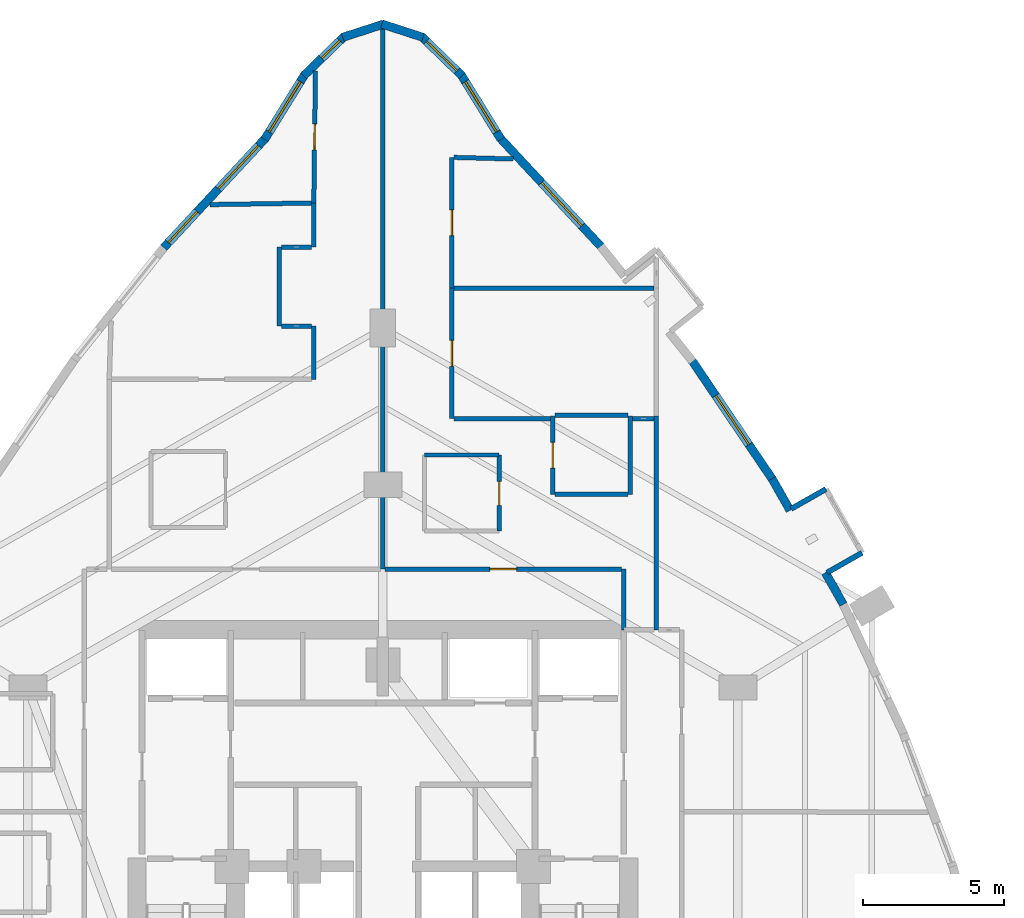
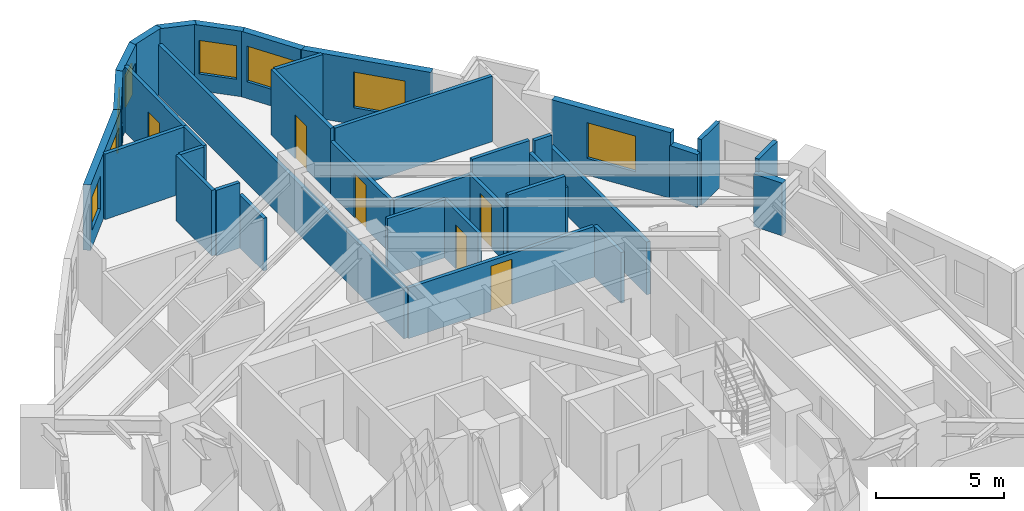
# One storey, part 12 of 14: 36 walls, 8 windows, 6 doors, 14 openings.
"""IFC4 building model written with IfcOpenShell, lengths in metres."""

from ifc_helpers import new_model, si_unit, direction, frame, frame_2d, origin, place, context, subcontext, project, spatial, rectangle, extrude, material, layer, layer_set, type_object, element, fill, save


model = new_model("IFC4")

# Units and contexts
model_context = context("Model", 3, precision=1e-05, world=origin(), true_north=direction((0.0, 1.0)))
body_context = subcontext(model_context, "Body", "Model", "MODEL_VIEW")
ifc_project = project(units=[si_unit("LENGTHUNIT", "METRE"), si_unit("AREAUNIT", "SQUARE_METRE"), si_unit("VOLUMEUNIT", "CUBIC_METRE"), si_unit("PLANEANGLEUNIT", "RADIAN"), si_unit("MASSUNIT", "GRAM", prefix="KILO")], contexts=[model_context])

# Site, building, storey
site_placement = place(None, origin())
site = spatial("IfcSite", under=ifc_project, at=site_placement, CompositionType="ELEMENT")
building_placement = place(site_placement, origin())
building = spatial("IfcBuilding", under=site, at=building_placement, Name="Miruveldt Soraemaru", CompositionType="ELEMENT")
storey_placement = place(building_placement, frame((0.0, 0.0, 80.199951171875)))
storey = spatial("IfcBuildingStorey", under=building, at=storey_placement, Name="L22", CompositionType="ELEMENT", Elevation=80.199951171875)

# Walls
ifc_material_1 = material(Name="White powder-coated aluminium EN AW-6060 T6", Category="aluminium")
ifc_layer_1 = layer(ifc_material_1, 0.18994140625, Name="White powder-coated aluminium EN AW-6060 T6", Category="aluminium")
ifc_layer_set_1 = layer_set([ifc_layer_1], Name="White powder-coated aluminium EN AW-6060 T6")
wall_type_1 = type_object("IfcWallType", Name="WALL-BAY-ALU190", PredefinedType="SOLIDWALL", material=ifc_layer_set_1)
for number, where, z_axis, x_axis, name in (
    (1, (59.7685546875, 54.4794921875, 0.0), (0.0, 0.0, 1.0), (0.869799191674, 0.493405883794, 0.0), "L22 Bay Window Side Cheek 5L"),
    (2, (59.72509765625, 57.444091796875, 0.0), (0.0, 0.0, 1.0), (-0.869799191674, -0.493405883794, 0.0), "L22 Bay Window Side Cheek 5R"),
):
    element("IfcWall", number, at=place(storey_placement, frame(where, z_axis=z_axis, x_axis=x_axis)), inside=storey, type_object=wall_type_1, Name=name, PredefinedType="SOLIDWALL", context=body_context, shape_type="SweptSolid", body=[
        extrude(rectangle(XDim=1.425048828125, YDim=0.18994140625, at=frame_2d((0.71240234375, 0.0))), origin(), (0.0, 0.0, 1.0), 3.125),
    ])

# Wall, opening, window
ifc_material_2 = material(Name="Precast concrete C45/55 (45 MPa)", Category="concrete")
ifc_layer_2 = layer(ifc_material_2, 0.300048828125, Name="Precast concrete C45/55 (45 MPa)", Category="concrete")
ifc_layer_set_2 = layer_set([ifc_layer_2], Name="Precast concrete C45/55 (45 MPa)")
wall_type_2 = type_object("IfcWallType", Name="WALL-EXT-PC300", PredefinedType="SOLIDWALL", material=ifc_layer_set_2)
wall_1_placement = place(storey_placement, frame((48.196044921875, 69.85546875, 0.0), z_axis=(0.0, 0.0, 1.0), x_axis=(-0.526076196346, 0.850437437816, 0.0)))
wall_1 = element("IfcWall", 3, at=wall_1_placement, inside=storey, type_object=wall_type_2, Name="L22 Precast Concrete Facade Wall 1", PredefinedType="SOLIDWALL", context=body_context, shape_type="SweptSolid", body=[
    extrude(rectangle(XDim=2.71728515625, YDim=0.300048828125, at=frame_2d((1.358642578125, 0.0))), origin(), (0.0, 0.0, 1.0), 3.125),
])
opening_1_placement = place(wall_1_placement, frame((0.30810546875, 0.0, 0.800048828125)))
opening_1 = element("IfcOpeningElement", 4, at=opening_1_placement, cuts=wall_1, Name="Opening WN-1", PredefinedType="OPENING", context=body_context, shape_type="SweptSolid", body=[
    extrude(rectangle(XDim=2.10009765625, YDim=1.699951171875, at=frame_2d((1.050048828125, 0.85009765625))), frame((0.0, 0.16015625, 0.0), z_axis=(0.0, -1.0, 0.0), x_axis=(1.0, 0.0, 0.0)), (0.0, 0.0, 1.0), 0.320068359375),
])
ifc_material_3 = material(Name="Triple low-e insulated glazing", Category="glass")
window_type_1 = type_object("IfcWindowType", Name="WIN-PUNCH-2100x1700", PartitioningType="SINGLE_PANEL", PredefinedType="WINDOW", material=ifc_material_3)
window_1_placement = place(opening_1_placement, origin())
window_1 = element("IfcWindow", 5, at=window_1_placement, inside=storey, type_object=window_type_1, Name="L22 Punched Triple-Glazed Window 01.1", OverallHeight=1.699951171875, OverallWidth=2.10009765625, PartitioningType="SINGLE_PANEL", PredefinedType="WINDOW", context=body_context, shape_type="SweptSolid", body=[
    extrude(rectangle(XDim=2.10009765625, YDim=1.699951171875, at=frame_2d((1.050048828125, 0.85009765625))), frame((0.0, 0.030029296875, 0.0), z_axis=(0.0, -1.0, 0.0), x_axis=(1.0, 0.0, 0.0)), (0.0, 0.0, 1.0), 0.06005859375),
])
fill(opening_1, window_1)

wall_2_placement = place(storey_placement, frame((46.810302734375, 72.112060546875, 0.0), z_axis=(0.0, 0.0, 1.0), x_axis=(-0.717834170134, 0.69621412237, 0.0)))
wall_2 = element("IfcWall", 6, at=wall_2_placement, inside=storey, type_object=wall_type_2, Name="L22 Precast Concrete Facade Wall 2", PredefinedType="SOLIDWALL", context=body_context, shape_type="SweptSolid", body=[
    extrude(rectangle(XDim=2.010009765625, YDim=0.300048828125, at=frame_2d((1.0048828125, 0.0))), origin(), (0.0, 0.0, 1.0), 3.125),
])
opening_2_placement = place(wall_2_placement, frame((0.2548828125, 0.0, 0.800048828125)))
opening_2 = element("IfcOpeningElement", 7, at=opening_2_placement, cuts=wall_2, Name="Opening WN-3", PredefinedType="OPENING", context=body_context, shape_type="SweptSolid", body=[
    extrude(rectangle(XDim=1.5, YDim=1.60009765625, at=frame_2d((0.75, 0.800048828125))), frame((0.0, 0.16015625, 0.0), z_axis=(0.0, -1.0, 0.0), x_axis=(1.0, 0.0, 0.0)), (0.0, 0.0, 1.0), 0.320068359375),
])
window_type_2 = type_object("IfcWindowType", Name="WIN-PUNCH-1500x1600", PartitioningType="SINGLE_PANEL", PredefinedType="WINDOW", material=ifc_material_3)
window_2_placement = place(opening_2_placement, origin())
window_2 = element("IfcWindow", 8, at=window_2_placement, inside=storey, type_object=window_type_2, Name="L22 Punched Triple-Glazed Window 02.1", OverallHeight=1.60009765625, OverallWidth=1.5, PartitioningType="SINGLE_PANEL", PredefinedType="WINDOW", context=body_context, shape_type="SweptSolid", body=[
    extrude(rectangle(XDim=1.5, YDim=1.60009765625, at=frame_2d((0.75, 0.800048828125))), frame((0.0, 0.030029296875, 0.0), z_axis=(0.0, -1.0, 0.0), x_axis=(1.0, 0.0, 0.0)), (0.0, 0.0, 1.0), 0.06005859375),
])
fill(opening_2, window_2)

# Walls
for number, where, z_axis, x_axis, name in (
    (9, (45.42578125, 73.476318359375, 0.0), (0.0, 0.0, 1.0), (-0.951510330143, 0.30761679348, 0.0), "L22 Precast Concrete Facade Wall 3"),
    (10, (44.033203125, 73.947998046875, 0.0), (0.0, 0.0, 1.0), (-0.951510330143, -0.30761679348, 0.0), "L22 Precast Concrete Facade Wall 4"),
):
    element("IfcWall", number, at=place(storey_placement, frame(where, z_axis=z_axis, x_axis=x_axis)), inside=storey, type_object=wall_type_2, Name=name, PredefinedType="SOLIDWALL", context=body_context, shape_type="SweptSolid", body=[
        extrude(rectangle(XDim=1.533447265625, YDim=0.300048828125, at=frame_2d((0.7666015625, 0.0))), origin(), (0.0, 0.0, 1.0), 3.125),
    ])

# Wall, opening, window
wall_3_placement = place(storey_placement, frame((42.632568359375, 73.511474609375, 0.0), z_axis=(0.0, 0.0, 1.0), x_axis=(-0.717834170134, -0.69621412237, 0.0)))
wall_3 = element("IfcWall", 11, at=wall_3_placement, inside=storey, type_object=wall_type_2, Name="L22 Precast Concrete Facade Wall 5", PredefinedType="SOLIDWALL", context=body_context, shape_type="SweptSolid", body=[
    extrude(rectangle(XDim=2.010009765625, YDim=0.300048828125, at=frame_2d((1.0048828125, 0.0))), origin(), (0.0, 0.0, 1.0), 3.125),
])
opening_3_placement = place(wall_3_placement, frame((0.222900390625, 0.0, 0.780029296875)))
opening_3 = element("IfcOpeningElement", 12, at=opening_3_placement, cuts=wall_3, Name="Opening WN-7", PredefinedType="OPENING", context=body_context, shape_type="SweptSolid", body=[
    extrude(rectangle(XDim=0.89990234375, YDim=1.5, at=frame_2d((0.449951171875, 0.75))), frame((0.0, 0.16015625, 0.0), z_axis=(0.0, -1.0, 0.0), x_axis=(1.0, 0.0, 0.0)), (0.0, 0.0, 1.0), 0.320068359375),
])
window_type_3 = type_object("IfcWindowType", Name="WIN-PUNCH-900x1500", PartitioningType="SINGLE_PANEL", PredefinedType="WINDOW", material=ifc_material_3)
window_3_placement = place(opening_3_placement, origin())
window_3 = element("IfcWindow", 13, at=window_3_placement, inside=storey, type_object=window_type_3, Name="L22 Punched Triple-Glazed Window 05.1", OverallHeight=1.5, OverallWidth=0.89990234375, PartitioningType="SINGLE_PANEL", PredefinedType="WINDOW", context=body_context, shape_type="SweptSolid", body=[
    extrude(rectangle(XDim=0.89990234375, YDim=1.5, at=frame_2d((0.449951171875, 0.75))), frame((0.0, 0.030029296875, 0.0), z_axis=(0.0, -1.0, 0.0), x_axis=(1.0, 0.0, 0.0)), (0.0, 0.0, 1.0), 0.06005859375),
])
fill(opening_3, window_3)

wall_4_placement = place(storey_placement, frame((41.2333984375, 72.166259765625, 0.0), z_axis=(0.0, 0.0, 1.0), x_axis=(-0.526076196346, -0.850437437816, 0.0)))
wall_4 = element("IfcWall", 14, at=wall_4_placement, inside=storey, type_object=wall_type_2, Name="L22 Precast Concrete Facade Wall 6", PredefinedType="SOLIDWALL", context=body_context, shape_type="SweptSolid", body=[
    extrude(rectangle(XDim=2.71728515625, YDim=0.300048828125, at=frame_2d((1.358642578125, 0.0))), origin(), (0.0, 0.0, 1.0), 3.125),
])
opening_4_placement = place(wall_4_placement, frame((0.30810546875, 0.0, 0.800048828125)))
opening_4 = element("IfcOpeningElement", 15, at=opening_4_placement, cuts=wall_4, Name="Opening WN-1", PredefinedType="OPENING", context=body_context, shape_type="SweptSolid", body=[
    extrude(rectangle(XDim=2.10009765625, YDim=1.699951171875, at=frame_2d((1.050048828125, 0.85009765625))), frame((0.0, 0.16015625, 0.0), z_axis=(0.0, -1.0, 0.0), x_axis=(1.0, 0.0, 0.0)), (0.0, 0.0, 1.0), 0.320068359375),
])
window_4_placement = place(opening_4_placement, origin())
window_4 = element("IfcWindow", 16, at=window_4_placement, inside=storey, type_object=window_type_1, Name="L22 Punched Triple-Glazed Window 06.1", OverallHeight=1.699951171875, OverallWidth=2.10009765625, PartitioningType="SINGLE_PANEL", PredefinedType="WINDOW", context=body_context, shape_type="SweptSolid", body=[
    extrude(rectangle(XDim=2.10009765625, YDim=1.699951171875, at=frame_2d((1.050048828125, 0.85009765625))), frame((0.0, 0.030029296875, 0.0), z_axis=(0.0, -1.0, 0.0), x_axis=(1.0, 0.0, 0.0)), (0.0, 0.0, 1.0), 0.06005859375),
])
fill(opening_4, window_4)

# Wall, openings, windows
wall_5_placement = place(storey_placement, frame((39.84619140625, 69.910888671875, 0.0), z_axis=(0.0, 0.0, 1.0), x_axis=(-0.680888946303, -0.732386675741, 0.0)))
wall_5 = element("IfcWall", 17, at=wall_5_placement, inside=storey, type_object=wall_type_2, Name="L22 Precast Concrete Facade Wall 7", PredefinedType="SOLIDWALL", context=body_context, shape_type="SweptSolid", body=[
    extrude(rectangle(XDim=5.323974609375, YDim=0.300048828125, at=frame_2d((2.662109375, 0.0))), origin(), (0.0, 0.0, 1.0), 3.125),
])
opening_5_placement = place(wall_5_placement, frame((0.373046875, 0.0, 0.800048828125)))
opening_5 = element("IfcOpeningElement", 18, at=opening_5_placement, cuts=wall_5, Name="Opening WN-1", PredefinedType="OPENING", context=body_context, shape_type="SweptSolid", body=[
    extrude(rectangle(XDim=2.10009765625, YDim=1.699951171875, at=frame_2d((1.050048828125, 0.85009765625))), frame((0.0, 0.16015625, 0.0), z_axis=(0.0, -1.0, 0.0), x_axis=(1.0, 0.0, 0.0)), (0.0, 0.0, 1.0), 0.320068359375),
])
opening_6_placement = place(wall_5_placement, frame((3.574951171875, 0.0, 0.800048828125)))
opening_6 = element("IfcOpeningElement", 19, at=opening_6_placement, cuts=wall_5, Name="Opening WN-3", PredefinedType="OPENING", context=body_context, shape_type="SweptSolid", body=[
    extrude(rectangle(XDim=1.5, YDim=1.60009765625, at=frame_2d((0.75, 0.800048828125))), frame((0.0, 0.16015625, 0.0), z_axis=(0.0, -1.0, 0.0), x_axis=(1.0, 0.0, 0.0)), (0.0, 0.0, 1.0), 0.320068359375),
])
window_5_placement = place(opening_6_placement, origin())
window_5 = element("IfcWindow", 20, at=window_5_placement, inside=storey, type_object=window_type_2, Name="L22 Punched Triple-Glazed Window 07.2", OverallHeight=1.60009765625, OverallWidth=1.5, PartitioningType="SINGLE_PANEL", PredefinedType="WINDOW", context=body_context, shape_type="SweptSolid", body=[
    extrude(rectangle(XDim=1.5, YDim=1.60009765625, at=frame_2d((0.75, 0.800048828125))), frame((0.0, 0.030029296875, 0.0), z_axis=(0.0, -1.0, 0.0), x_axis=(1.0, 0.0, 0.0)), (0.0, 0.0, 1.0), 0.06005859375),
])
fill(opening_6, window_5)
window_6_placement = place(opening_5_placement, origin())
window_6 = element("IfcWindow", 21, at=window_6_placement, inside=storey, type_object=window_type_1, Name="L22 Punched Triple-Glazed Window 07.1", OverallHeight=1.699951171875, OverallWidth=2.10009765625, PartitioningType="SINGLE_PANEL", PredefinedType="WINDOW", context=body_context, shape_type="SweptSolid", body=[
    extrude(rectangle(XDim=2.10009765625, YDim=1.699951171875, at=frame_2d((1.050048828125, 0.85009765625))), frame((0.0, 0.030029296875, 0.0), z_axis=(0.0, -1.0, 0.0), x_axis=(1.0, 0.0, 0.0)), (0.0, 0.0, 1.0), 0.06005859375),
])
fill(opening_5, window_6)

# Walls
wall_6_placement = place(storey_placement, frame((60.345703125, 53.3505859375, 0.0), z_axis=(0.0, 0.0, 1.0), x_axis=(-0.493440025399, 0.869779823481, 0.0)))
element("IfcWall", 22, at=wall_6_placement, inside=storey, type_object=wall_type_2, Name="L22 Precast Pier Wall 39A", PredefinedType="SOLIDWALL", context=body_context, shape_type="SweptSolid", body=[
    extrude(rectangle(XDim=1.296875, YDim=0.300048828125, at=frame_2d((0.6484375, 0.0))), origin(), (0.0, 0.0, 1.0), 2.512939453125),
])
wall_7_placement = place(storey_placement, frame((58.45263671875, 56.687744140625, 0.0), z_axis=(0.0, 0.0, 1.0), x_axis=(-0.493297580623, 0.869860619267, 0.0)))
element("IfcWall", 23, at=wall_7_placement, inside=storey, type_object=wall_type_2, Name="L22 Precast Pier Wall 39B", PredefinedType="SOLIDWALL", context=body_context, shape_type="SweptSolid", body=[
    extrude(rectangle(XDim=1.296630859375, YDim=0.300048828125, at=frame_2d((0.6484375, 0.0))), origin(), (0.0, 0.0, 1.0), 2.512939453125),
])

# Wall, opening, window
wall_8_placement = place(storey_placement, frame((57.849853515625, 57.756103515625, 0.0), z_axis=(0.0, 0.0, 1.0), x_axis=(-0.560814703754, 0.827941343365, 0.0)))
wall_8 = element("IfcWall", 24, at=wall_8_placement, inside=storey, type_object=wall_type_2, Name="L22 Precast Concrete Facade Wall 40", PredefinedType="SOLIDWALL", context=body_context, shape_type="SweptSolid", body=[
    extrude(rectangle(XDim=5.165771484375, YDim=0.300048828125, at=frame_2d((2.5830078125, 0.0))), origin(), (0.0, 0.0, 1.0), 3.125),
])
opening_7_placement = place(wall_8_placement, frame((1.532958984375, 0.0, 0.800048828125)))
opening_7 = element("IfcOpeningElement", 25, at=opening_7_placement, cuts=wall_8, Name="Opening WN-1", PredefinedType="OPENING", context=body_context, shape_type="SweptSolid", body=[
    extrude(rectangle(XDim=2.10009765625, YDim=1.699951171875, at=frame_2d((1.050048828125, 0.85009765625))), frame((0.0, 0.16015625, 0.0), z_axis=(0.0, -1.0, 0.0), x_axis=(1.0, 0.0, 0.0)), (0.0, 0.0, 1.0), 0.320068359375),
])
window_7_placement = place(opening_7_placement, origin())
window_7 = element("IfcWindow", 26, at=window_7_placement, inside=storey, type_object=window_type_1, Name="L22 Punched Triple-Glazed Window 40.1", OverallHeight=1.699951171875, OverallWidth=2.10009765625, PartitioningType="SINGLE_PANEL", PredefinedType="WINDOW", context=body_context, shape_type="SweptSolid", body=[
    extrude(rectangle(XDim=2.10009765625, YDim=1.699951171875, at=frame_2d((1.050048828125, 0.85009765625))), frame((0.0, 0.030029296875, 0.0), z_axis=(0.0, -1.0, 0.0), x_axis=(1.0, 0.0, 0.0)), (0.0, 0.0, 1.0), 0.06005859375),
])
fill(opening_7, window_7)

wall_9_placement = place(storey_placement, frame((51.77880859375, 66.01171875, 0.0), z_axis=(0.0, 0.0, 1.0), x_axis=(-0.680888946303, 0.732386675741, 0.0)))
wall_9 = element("IfcWall", 27, at=wall_9_placement, inside=storey, type_object=wall_type_2, Name="L22 Precast Concrete Facade Wall 42", PredefinedType="SOLIDWALL", context=body_context, shape_type="SweptSolid", body=[
    extrude(rectangle(XDim=5.323974609375, YDim=0.300048828125, at=frame_2d((2.662109375, 0.0))), origin(), (0.0, 0.0, 1.0), 3.125),
])
opening_8_placement = place(wall_9_placement, frame((1.054931640625, 0.0, 0.800048828125)))
opening_8 = element("IfcOpeningElement", 28, at=opening_8_placement, cuts=wall_9, Name="Opening WN-1", PredefinedType="OPENING", context=body_context, shape_type="SweptSolid", body=[
    extrude(rectangle(XDim=2.10009765625, YDim=1.699951171875, at=frame_2d((1.050048828125, 0.85009765625))), frame((0.0, 0.16015625, 0.0), z_axis=(0.0, -1.0, 0.0), x_axis=(1.0, 0.0, 0.0)), (0.0, 0.0, 1.0), 0.320068359375),
])
window_8_placement = place(opening_8_placement, origin())
window_8 = element("IfcWindow", 29, at=window_8_placement, inside=storey, type_object=window_type_1, Name="L22 Punched Triple-Glazed Window 42.1", OverallHeight=1.699951171875, OverallWidth=2.10009765625, PartitioningType="SINGLE_PANEL", PredefinedType="WINDOW", context=body_context, shape_type="SweptSolid", body=[
    extrude(rectangle(XDim=2.10009765625, YDim=1.699951171875, at=frame_2d((1.050048828125, 0.85009765625))), frame((0.0, 0.030029296875, 0.0), z_axis=(0.0, -1.0, 0.0), x_axis=(1.0, 0.0, 0.0)), (0.0, 0.0, 1.0), 0.06005859375),
])
fill(opening_8, window_8)

# Wall, opening, door
ifc_material_4 = material(Name="Gypsum plasterboard lining", Category="gypsum")
ifc_layer_3 = layer(ifc_material_4, 0.14990234375, Name="Gypsum plasterboard lining", Category="gypsum")
ifc_layer_set_3 = layer_set([ifc_layer_3], Name="Gypsum plasterboard lining")
wall_type_3 = type_object("IfcWallType", Name="WALL-INT-PLUMB", PredefinedType="PLUMBINGWALL", material=ifc_layer_set_3)
wall_10_placement = place(storey_placement, frame((48.1298828125, 55.95703125, 0.0), z_axis=(0.0, 0.0, 1.0), x_axis=(0.0, 1.0, 0.0)))
wall_10 = element("IfcWall", 30, at=wall_10_placement, inside=storey, type_object=wall_type_3, Name="L22 Partition Wall 34", PredefinedType="PLUMBINGWALL", context=body_context, shape_type="SweptSolid", body=[
    extrude(rectangle(XDim=2.699951171875, YDim=0.14990234375, at=frame_2d((1.35009765625, 0.0))), origin(), (0.0, 0.0, 1.0), 2.762939453125),
])
opening_9_placement = place(wall_10_placement, frame((0.909912109375, 0.0, 0.0)))
opening_9 = element("IfcOpeningElement", 31, at=opening_9_placement, cuts=wall_10, Name="Opening FD3", PredefinedType="OPENING", context=body_context, shape_type="SweptSolid", body=[
    extrude(rectangle(XDim=0.85009765625, YDim=2.10009765625, at=frame_2d((0.425048828125, 1.050048828125))), frame((0.0, 0.0849609375, 0.0), z_axis=(0.0, -1.0, 0.0), x_axis=(1.0, 0.0, 0.0)), (0.0, 0.0, 1.0), 0.169921875),
])
ifc_material_5 = material(Name="Anodised aluminium EN AW-6063 T6", Category="aluminium")
door_type_1 = type_object("IfcDoorType", Name="DOOR-FD3-850", OperationType="NOTDEFINED", PredefinedType="DOOR", material=ifc_material_5)
door_1_placement = place(opening_9_placement, origin())
door_1 = element("IfcDoor", 32, at=door_1_placement, inside=storey, type_object=door_type_1, Name="L22 Unit 2203 BTH Door", OperationType="SINGLE_SWING_LEFT", OverallHeight=2.10009765625, OverallWidth=0.85009765625, PredefinedType="DOOR", context=body_context, shape_type="SweptSolid", body=[
    extrude(rectangle(XDim=0.85009765625, YDim=2.10009765625, at=frame_2d((0.425048828125, 1.050048828125))), frame((0.0, 0.02490234375, 0.0), z_axis=(0.0, -1.0, 0.0), x_axis=(1.0, 0.0, 0.0)), (0.0, 0.0, 1.0), 0.050048828125),
])
fill(opening_9, door_1)

# Wall
wall_11_placement = place(storey_placement, frame((48.1298828125, 58.656982421875, 0.0), z_axis=(0.0, 0.0, 1.0), x_axis=(-1.0, 0.0, 0.0)))
element("IfcWall", 33, at=wall_11_placement, inside=storey, type_object=wall_type_3, Name="L22 Partition Wall 35", PredefinedType="PLUMBINGWALL", context=body_context, shape_type="SweptSolid", body=[
    extrude(rectangle(XDim=2.64990234375, YDim=0.14990234375, at=frame_2d((1.324951171875, 0.0))), origin(), (0.0, 0.0, 1.0), 2.762939453125),
])

# Wall, opening, door
ifc_material_6 = material(Name="Concrete C40/50 (40 MPa)", Category="concrete")
ifc_layer_4 = layer(ifc_material_6, 0.159912109375, Name="Concrete C40/50 (40 MPa)", Category="concrete")
ifc_layer_set_4 = layer_set([ifc_layer_4], Name="Concrete C40/50 (40 MPa)")
wall_type_4 = type_object("IfcWallType", Name="WALL-INT-RC160", PredefinedType="SOLIDWALL", material=ifc_layer_set_4)
wall_12_placement = place(storey_placement, frame((52.469970703125, 54.60009765625, 0.0), z_axis=(0.0, 0.0, 1.0), x_axis=(-1.0, 0.0, 0.0)))
wall_12 = element("IfcWall", 34, at=wall_12_placement, inside=storey, type_object=wall_type_4, Name="L22 Partition Wall 6", PredefinedType="SOLIDWALL", context=body_context, shape_type="SweptSolid", body=[
    extrude(rectangle(XDim=8.389892578125, YDim=0.159912109375, at=frame_2d((4.19482421875, 0.0))), origin(), (0.0, 0.0, 1.0), 2.4130859375),
])
opening_10_placement = place(wall_12_placement, frame((3.719970703125, 0.0, 0.0)))
opening_10 = element("IfcOpeningElement", 35, at=opening_10_placement, cuts=wall_12, Name="Opening FD2", PredefinedType="OPENING", context=body_context, shape_type="SweptSolid", body=[
    extrude(rectangle(XDim=0.949951171875, YDim=2.14990234375, at=frame_2d((0.47509765625, 1.074951171875))), frame((0.0, 0.08984375, 0.0), z_axis=(0.0, -1.0, 0.0), x_axis=(1.0, 0.0, 0.0)), (0.0, 0.0, 1.0), 0.179931640625),
])
door_type_2 = type_object("IfcDoorType", Name="DOOR-FD2-950", OperationType="NOTDEFINED", PredefinedType="DOOR", material=ifc_material_5)
door_2_placement = place(opening_10_placement, origin())
door_2 = element("IfcDoor", 36, at=door_2_placement, inside=storey, type_object=door_type_2, Name="L22 Unit 2203 Entrance Fire Door", OperationType="SINGLE_SWING_RIGHT", OverallHeight=2.14990234375, OverallWidth=0.949951171875, PredefinedType="DOOR", context=body_context, shape_type="SweptSolid", body=[
    extrude(rectangle(XDim=0.949951171875, YDim=2.14990234375, at=frame_2d((0.47509765625, 1.074951171875))), frame((0.0, 0.02490234375, 0.0), z_axis=(0.0, -1.0, 0.0), x_axis=(1.0, 0.0, 0.0)), (0.0, 0.0, 1.0), 0.050048828125),
])
fill(opening_10, door_2)

wall_13_placement = place(storey_placement, frame((41.60888671875, 72.2890625, 0.0), z_axis=(0.0, 0.0, 1.0), x_axis=(-0.012536079815, -0.999921420264, 0.0)))
wall_13 = element("IfcWall", 37, at=wall_13_placement, inside=storey, type_object=wall_type_4, Name="L22 Partition Wall 31", PredefinedType="SOLIDWALL", context=body_context, shape_type="SweptSolid", body=[
    extrude(rectangle(XDim=4.693603515625, YDim=0.159912109375, at=frame_2d((2.3466796875, 0.0))), origin(), (0.0, 0.0, 1.0), 3.125),
])
opening_11_placement = place(wall_13_placement, frame((1.886962890625, 0.0, 0.0)))
opening_11 = element("IfcOpeningElement", 38, at=opening_11_placement, cuts=wall_13, Name="Opening D3A", PredefinedType="OPENING", context=body_context, shape_type="SweptSolid", body=[
    extrude(rectangle(XDim=0.919921875, YDim=2.10009765625, at=frame_2d((0.4599609375, 1.050048828125))), frame((0.0, 0.08984375, 0.0), z_axis=(0.0, -1.0, 0.0), x_axis=(1.0, 0.0, 0.0)), (0.0, 0.0, 1.0), 0.179931640625),
])
door_type_3 = type_object("IfcDoorType", Name="DOOR-INT-920", OperationType="NOTDEFINED", PredefinedType="DOOR", material=ifc_material_5)
door_3_placement = place(opening_11_placement, origin())
door_3 = element("IfcDoor", 39, at=door_3_placement, inside=storey, type_object=door_type_3, Name="L22 Unit 2202 BD2 Door", OperationType="SINGLE_SWING_LEFT", OverallHeight=2.10009765625, OverallWidth=0.919921875, PredefinedType="DOOR", context=body_context, shape_type="SweptSolid", body=[
    extrude(rectangle(XDim=0.919921875, YDim=2.10009765625, at=frame_2d((0.4599609375, 1.050048828125))), frame((0.0, 0.02490234375, 0.0), z_axis=(0.0, -1.0, 0.0), x_axis=(1.0, 0.0, 0.0)), (0.0, 0.0, 1.0), 0.050048828125),
])
fill(opening_11, door_3)

wall_14_placement = place(storey_placement, frame((46.449951171875, 64.577880859375, 0.0), z_axis=(0.0, 0.0, 1.0), x_axis=(0.0, 1.0, 0.0)))
wall_14 = element("IfcWall", 40, at=wall_14_placement, inside=storey, type_object=wall_type_4, Name="L22 Partition Wall 44", PredefinedType="SOLIDWALL", context=body_context, shape_type="SweptSolid", body=[
    extrude(rectangle(XDim=4.63818359375, YDim=0.159912109375, at=frame_2d((2.319091796875, 0.0))), origin(), (0.0, 0.0, 1.0), 3.125),
])
opening_12_placement = place(wall_14_placement, frame((1.85888671875, 0.0, 0.0)))
opening_12 = element("IfcOpeningElement", 41, at=opening_12_placement, cuts=wall_14, Name="Opening D3A", PredefinedType="OPENING", context=body_context, shape_type="SweptSolid", body=[
    extrude(rectangle(XDim=0.919921875, YDim=2.10009765625, at=frame_2d((0.4599609375, 1.050048828125))), frame((0.0, 0.08984375, 0.0), z_axis=(0.0, -1.0, 0.0), x_axis=(1.0, 0.0, 0.0)), (0.0, 0.0, 1.0), 0.179931640625),
])
door_4_placement = place(opening_12_placement, origin())
door_4 = element("IfcDoor", 42, at=door_4_placement, inside=storey, type_object=door_type_3, Name="L22 Unit 2203 BD2 Door", OperationType="SINGLE_SWING_RIGHT", OverallHeight=2.10009765625, OverallWidth=0.919921875, PredefinedType="DOOR", context=body_context, shape_type="SweptSolid", body=[
    extrude(rectangle(XDim=0.919921875, YDim=2.10009765625, at=frame_2d((0.4599609375, 1.050048828125))), frame((0.0, 0.02490234375, 0.0), z_axis=(0.0, -1.0, 0.0), x_axis=(1.0, 0.0, 0.0)), (0.0, 0.0, 1.0), 0.050048828125),
])
fill(opening_12, door_4)

wall_15_placement = place(storey_placement, frame((46.449951171875, 59.94091796875, 0.0), z_axis=(0.0, 0.0, 1.0), x_axis=(0.0, 1.0, 0.0)))
wall_15 = element("IfcWall", 43, at=wall_15_placement, inside=storey, type_object=wall_type_4, Name="L22 Partition Wall 43", PredefinedType="SOLIDWALL", context=body_context, shape_type="SweptSolid", body=[
    extrude(rectangle(XDim=4.636962890625, YDim=0.159912109375, at=frame_2d((2.318359375, 0.0))), origin(), (0.0, 0.0, 1.0), 2.512939453125),
])
opening_13_placement = place(wall_15_placement, frame((1.85888671875, 0.0, 0.0)))
opening_13 = element("IfcOpeningElement", 44, at=opening_13_placement, cuts=wall_15, Name="Opening D3A", PredefinedType="OPENING", context=body_context, shape_type="SweptSolid", body=[
    extrude(rectangle(XDim=0.919921875, YDim=2.10009765625, at=frame_2d((0.4599609375, 1.050048828125))), frame((0.0, 0.08984375, 0.0), z_axis=(0.0, -1.0, 0.0), x_axis=(1.0, 0.0, 0.0)), (0.0, 0.0, 1.0), 0.179931640625),
])
door_5_placement = place(opening_13_placement, origin())
door_5 = element("IfcDoor", 45, at=door_5_placement, inside=storey, type_object=door_type_3, Name="L22 Unit 2203 BD1 Door", OperationType="SINGLE_SWING_LEFT", OverallHeight=2.10009765625, OverallWidth=0.919921875, PredefinedType="DOOR", context=body_context, shape_type="SweptSolid", body=[
    extrude(rectangle(XDim=0.919921875, YDim=2.10009765625, at=frame_2d((0.4599609375, 1.050048828125))), frame((0.0, 0.02490234375, 0.0), z_axis=(0.0, -1.0, 0.0), x_axis=(1.0, 0.0, 0.0)), (0.0, 0.0, 1.0), 0.050048828125),
])
fill(opening_13, door_5)

wall_16_placement = place(storey_placement, frame((50.030029296875, 60.031005859375, 0.0), z_axis=(0.0, 0.0, 1.0), x_axis=(0.0, -1.0, 0.0)))
wall_16 = element("IfcWall", 46, at=wall_16_placement, inside=storey, type_object=wall_type_4, Name="L22 Partition Wall 39", PredefinedType="SOLIDWALL", context=body_context, shape_type="SweptSolid", body=[
    extrude(rectangle(XDim=2.77392578125, YDim=0.159912109375, at=frame_2d((1.386962890625, 0.0))), origin(), (0.0, 0.0, 1.0), 2.512939453125),
])
opening_14_placement = place(wall_16_placement, frame((0.927001953125, 0.0, 0.0)))
opening_14 = element("IfcOpeningElement", 47, at=opening_14_placement, cuts=wall_16, Name="Opening D3A", PredefinedType="OPENING", context=body_context, shape_type="SweptSolid", body=[
    extrude(rectangle(XDim=0.919921875, YDim=2.10009765625, at=frame_2d((0.4599609375, 1.050048828125))), frame((0.0, 0.08984375, 0.0), z_axis=(0.0, -1.0, 0.0), x_axis=(1.0, 0.0, 0.0)), (0.0, 0.0, 1.0), 0.179931640625),
])
door_6_placement = place(opening_14_placement, origin())
door_6 = element("IfcDoor", 48, at=door_6_placement, inside=storey, type_object=door_type_3, Name="L22 Unit 2203 KIT Door", OperationType="SINGLE_SWING_RIGHT", OverallHeight=2.10009765625, OverallWidth=0.919921875, PredefinedType="DOOR", context=body_context, shape_type="SweptSolid", body=[
    extrude(rectangle(XDim=0.919921875, YDim=2.10009765625, at=frame_2d((0.4599609375, 1.050048828125))), frame((0.0, 0.02490234375, 0.0), z_axis=(0.0, -1.0, 0.0), x_axis=(1.0, 0.0, 0.0)), (0.0, 0.0, 1.0), 0.050048828125),
])
fill(opening_14, door_6)

# Walls
wall_17_placement = place(storey_placement, frame((44.0, 54.60009765625, 0.0), z_axis=(0.0, 0.0, 1.0), x_axis=(0.0, 1.0, 0.0)))
element("IfcWall", 49, at=wall_17_placement, inside=storey, type_object=wall_type_4, Name="L22 Partition Wall 32", PredefinedType="SOLIDWALL", context=body_context, shape_type="SweptSolid", body=[
    extrude(rectangle(XDim=19.163818359375, YDim=0.159912109375, at=frame_2d((9.58203125, 0.0))), origin(), (0.0, 0.0, 1.0), 2.4130859375),
])
wall_18_placement = place(storey_placement, frame((53.7099609375, 52.449951171875, 0.0), z_axis=(0.0, 0.0, 1.0), x_axis=(0.0, 1.0, 0.0)))
element("IfcWall", 50, at=wall_18_placement, inside=storey, type_object=wall_type_4, Name="L22 Partition Wall 46", PredefinedType="SOLIDWALL", context=body_context, shape_type="SweptSolid", body=[
    extrude(rectangle(XDim=7.5810546875, YDim=0.159912109375, at=frame_2d((3.79052734375, 0.0))), origin(), (0.0, 0.0, 1.0), 2.512939453125),
])
wall_19_placement = place(storey_placement, frame((53.6298828125, 64.577880859375, 0.0), z_axis=(0.0, 0.0, 1.0), x_axis=(-1.0, 0.0, 0.0)))
element("IfcWall", 51, at=wall_19_placement, inside=storey, type_object=wall_type_4, Name="L22 Partition Wall 48", PredefinedType="SOLIDWALL", context=body_context, shape_type="SweptSolid", body=[
    extrude(rectangle(XDim=7.099853515625, YDim=0.159912109375, at=frame_2d((3.5498046875, 0.0))), origin(), (0.0, 0.0, 1.0), 3.125),
])
wall_20_placement = place(storey_placement, frame((41.469970703125, 67.594970703125, 0.0), z_axis=(0.0, 0.0, 1.0), x_axis=(-0.999875527038, -0.015777529311, 0.0)))
element("IfcWall", 52, at=wall_20_placement, inside=storey, type_object=wall_type_4, Name="L22 Partition Wall 33", PredefinedType="SOLIDWALL", context=body_context, shape_type="SweptSolid", body=[
    extrude(rectangle(XDim=3.60546875, YDim=0.159912109375, at=frame_2d((1.802734375, 0.0))), origin(), (0.0, 0.0, 1.0), 3.125),
])
wall_21_placement = place(storey_placement, frame((49.949951171875, 59.94091796875, 0.0), z_axis=(0.0, 0.0, 1.0), x_axis=(-1.0, 0.0, 0.0)))
element("IfcWall", 53, at=wall_21_placement, inside=storey, type_object=wall_type_4, Name="L22 Partition Wall 42", PredefinedType="SOLIDWALL", context=body_context, shape_type="SweptSolid", body=[
    extrude(rectangle(XDim=3.419921875, YDim=0.159912109375, at=frame_2d((1.7099609375, 0.0))), origin(), (0.0, 0.0, 1.0), 2.512939453125),
])
wall_22_placement = place(storey_placement, frame((40.320068359375, 66.030029296875, 0.0), z_axis=(0.0, 0.0, 1.0), x_axis=(0.0, -1.0, 0.0)))
element("IfcWall", 54, at=wall_22_placement, inside=storey, type_object=wall_type_4, Name="L22 Partition Wall 27", PredefinedType="SOLIDWALL", context=body_context, shape_type="SweptSolid", body=[
    extrude(rectangle(XDim=2.800048828125, YDim=0.159912109375, at=frame_2d((1.39990234375, 0.0))), origin(), (0.0, 0.0, 1.0), 3.125),
])
wall_23_placement = place(storey_placement, frame((52.780029296875, 57.257080078125, 0.0), z_axis=(0.0, 0.0, 1.0), x_axis=(0.0, 1.0, 0.0)))
element("IfcWall", 55, at=wall_23_placement, inside=storey, type_object=wall_type_4, Name="L22 Partition Wall 38", PredefinedType="SOLIDWALL", context=body_context, shape_type="SweptSolid", body=[
    extrude(rectangle(XDim=2.77392578125, YDim=0.159912109375, at=frame_2d((1.386962890625, 0.0))), origin(), (0.0, 0.0, 1.0), 2.512939453125),
])
for number, where, z_axis, x_axis, name in (
    (56, (50.110107421875, 57.257080078125, 0.0), (0.0, 0.0, 1.0), (1.0, 0.0, 0.0), "L22 Partition Wall 40"),
    (57, (52.699951171875, 60.056884765625, 0.0), (0.0, 0.0, 1.0), (-1.0, 0.0, 0.0), "L22 Partition Wall 47"),
):
    element("IfcWall", number, at=place(storey_placement, frame(where, z_axis=z_axis, x_axis=x_axis)), inside=storey, type_object=wall_type_4, Name=name, PredefinedType="SOLIDWALL", context=body_context, shape_type="SweptSolid", body=[
        extrude(rectangle(XDim=2.58984375, YDim=0.159912109375, at=frame_2d((1.294921875, 0.0))), origin(), (0.0, 0.0, 1.0), 3.125),
    ])
wall_24_placement = place(storey_placement, frame((52.550048828125, 52.449951171875, 0.0), z_axis=(0.0, 0.0, 1.0), x_axis=(0.0, 1.0, 0.0)))
element("IfcWall", 58, at=wall_24_placement, inside=storey, type_object=wall_type_4, Name="L22 Partition Wall 5", PredefinedType="SOLIDWALL", context=body_context, shape_type="SweptSolid", body=[
    extrude(rectangle(XDim=2.150146484375, YDim=0.159912109375, at=frame_2d((1.0751953125, 0.0))), origin(), (0.0, 0.0, 1.0), 2.4130859375),
])
wall_25_placement = place(storey_placement, frame((46.530029296875, 69.214111328125, 0.0), z_axis=(0.0, 0.0, 1.0), x_axis=(0.999641983719, -0.026756389649, 0.0)))
element("IfcWall", 59, at=wall_25_placement, inside=storey, type_object=wall_type_4, Name="L22 Partition Wall 45", PredefinedType="SOLIDWALL", context=body_context, shape_type="SweptSolid", body=[
    extrude(rectangle(XDim=2.0986328125, YDim=0.159912109375, at=frame_2d((1.04931640625, 0.0))), origin(), (0.0, 0.0, 1.0), 3.125),
])
wall_26_placement = place(storey_placement, frame((41.550048828125, 63.22998046875, 0.0), z_axis=(0.0, 0.0, 1.0), x_axis=(0.0, -1.0, 0.0)))
element("IfcWall", 60, at=wall_26_placement, inside=storey, type_object=wall_type_4, Name="L22 Partition Wall 29", PredefinedType="SOLIDWALL", context=body_context, shape_type="SweptSolid", body=[
    extrude(rectangle(XDim=1.890869140625, YDim=0.159912109375, at=frame_2d((0.9453125, 0.0))), origin(), (0.0, 0.0, 1.0), 2.512939453125),
])
wall_27_placement = place(storey_placement, frame((41.550048828125, 67.595947265625, 0.0), z_axis=(0.0, 0.0, 1.0), x_axis=(0.0, -1.0, 0.0)))
element("IfcWall", 61, at=wall_27_placement, inside=storey, type_object=wall_type_4, Name="L22 Partition Wall 25", PredefinedType="SOLIDWALL", context=body_context, shape_type="SweptSolid", body=[
    extrude(rectangle(XDim=1.56591796875, YDim=0.159912109375, at=frame_2d((0.782958984375, 0.0))), origin(), (0.0, 0.0, 1.0), 3.125),
])
for number, where, z_axis, x_axis, name in (
    (62, (41.469970703125, 66.030029296875, 0.0), (0.0, 0.0, 1.0), (-1.0, 0.0, 0.0), "L22 Partition Wall 26"),
    (63, (40.39990234375, 63.22998046875, 0.0), (0.0, 0.0, 1.0), (1.0, 0.0, 0.0), "L22 Partition Wall 28"),
):
    element("IfcWall", number, at=place(storey_placement, frame(where, z_axis=z_axis, x_axis=x_axis)), inside=storey, type_object=wall_type_4, Name=name, PredefinedType="SOLIDWALL", context=body_context, shape_type="SweptSolid", body=[
        extrude(rectangle(XDim=1.070068359375, YDim=0.159912109375, at=frame_2d((0.53515625, 0.0))), origin(), (0.0, 0.0, 1.0), 3.125),
    ])
wall_28_placement = place(storey_placement, frame((53.6298828125, 59.94091796875, 0.0), z_axis=(0.0, 0.0, 1.0), x_axis=(-1.0, 0.0, 0.0)))
element("IfcWall", 64, at=wall_28_placement, inside=storey, type_object=wall_type_4, Name="L22 Partition Wall 41", PredefinedType="SOLIDWALL", context=body_context, shape_type="SweptSolid", body=[
    extrude(rectangle(XDim=0.769775390625, YDim=0.159912109375, at=frame_2d((0.384765625, 0.0))), origin(), (0.0, 0.0, 1.0), 3.125),
])

save(model, "model.ifc")
